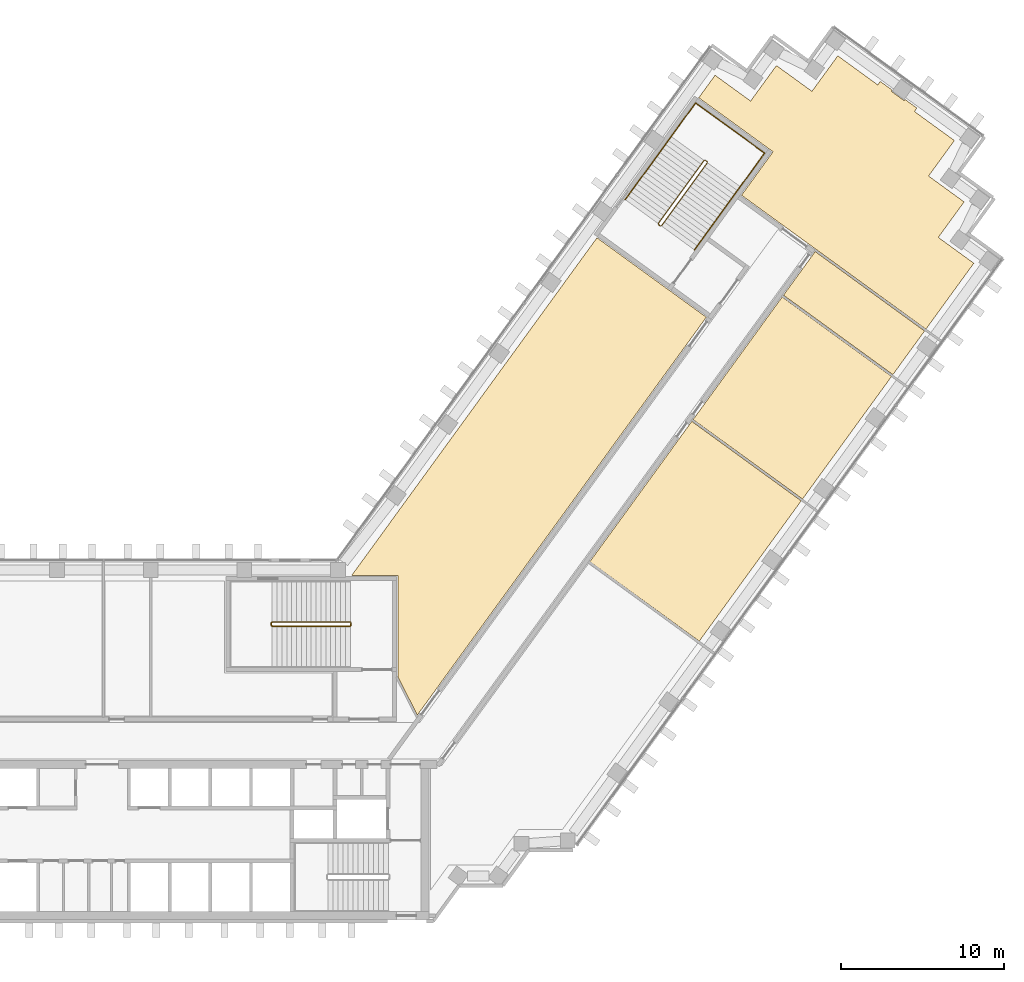
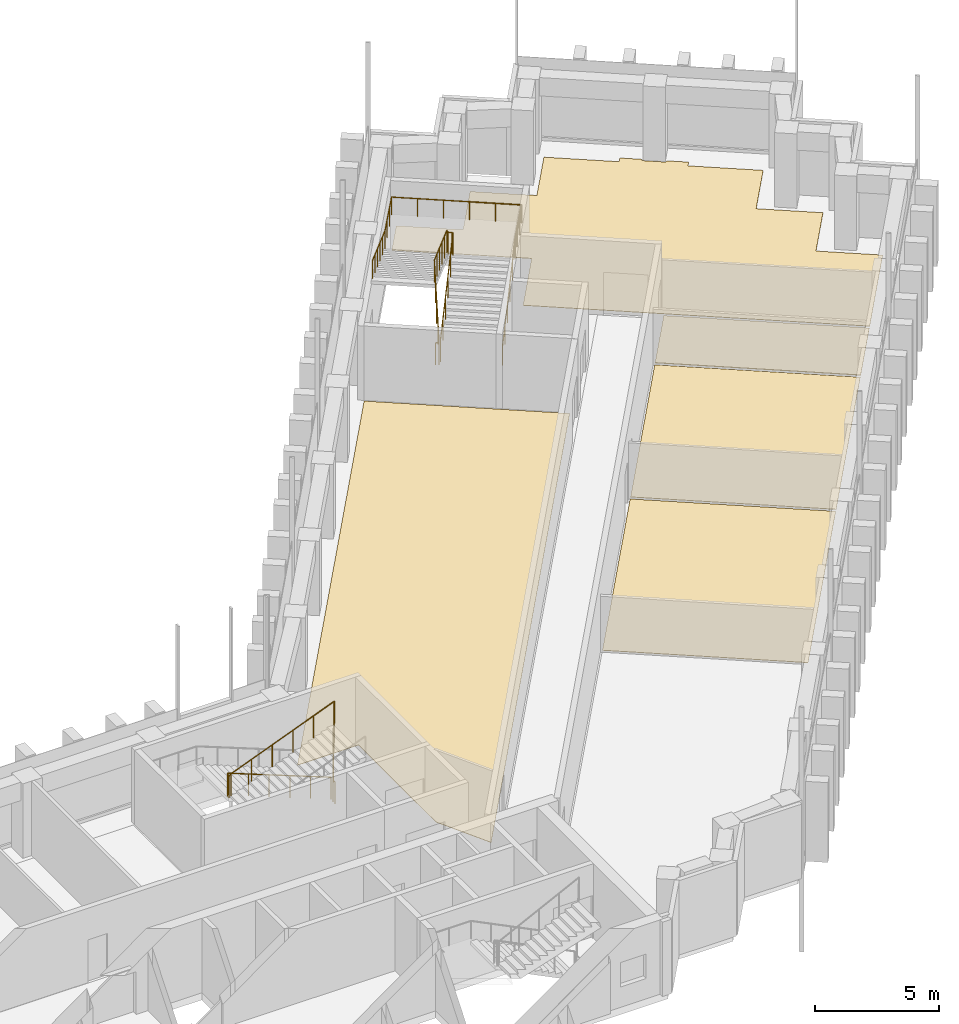
# One storey, part 18 of 18: 5 coverings, 3 railings.
"""IFC4 building model written with IfcOpenShell, lengths in metres."""

from ifc_helpers import new_model, si_unit, direction, frame, origin, origin_2d, place, context, subcontext, project, spatial, polyline, circle, outline, extrude, material, layer, layer_set, type_object, element, save


model = new_model("IFC4")

# Units and contexts
model_context = context("Model", 3, precision=1e-05, world=origin(), true_north=direction((0.0, 1.0)))
body_context = subcontext(model_context, "Body", "Model", "MODEL_VIEW")
ifc_project = project(units=[si_unit("LENGTHUNIT", "METRE"), si_unit("AREAUNIT", "SQUARE_METRE"), si_unit("VOLUMEUNIT", "CUBIC_METRE"), si_unit("PLANEANGLEUNIT", "RADIAN"), si_unit("MASSUNIT", "GRAM", prefix="KILO")], contexts=[model_context])

# Site, building, storey
site_placement = place(None, origin())
site = spatial("IfcSite", under=ifc_project, at=site_placement, CompositionType="ELEMENT")
building_placement = place(site_placement, origin())
building = spatial("IfcBuilding", under=site, at=building_placement, Name="Quipu Civic Tower", CompositionType="ELEMENT")
storey_placement = place(building_placement, frame((0.0, 0.0, 59.0)))
storey = spatial("IfcBuildingStorey", under=building, at=storey_placement, Name="L13", CompositionType="ELEMENT", Elevation=59.0)

# Coverings
ifc_material_1 = material(Name="Carpet tile on raised access floor")
ifc_layer_1 = layer(ifc_material_1, 0.02001953125)
ifc_layer_set_1 = layer_set([ifc_layer_1], Name="Carpet tile on raised access floor")
covering_type_1 = type_object("IfcCoveringType", Name="Carpet tile floor finish 20", PredefinedType="FLOORING", material=ifc_layer_set_1)
covering_1_placement = place(storey_placement, origin())
element("IfcCovering", 1, at=covering_1_placement, inside=storey, type_object=covering_type_1, Name="Carpet tile floor finish 20", PredefinedType="FLOORING", context=body_context, shape_type="SweptSolid", body=[
    extrude(outline(polyline([(15.238037109375, 10.169921875), (30.31494140625, 30.922119140625), (37.0380859375, 26.0380859375), (19.27197265625, 1.583984375), (18.070068359375, 3.94189453125), (18.070068359375, 10.1689453125), (15.238037109375, 10.169921875)])), origin(), (0.0, 0.0, 1.0), 0.02001953125),
])
covering_2_placement = place(storey_placement, origin())
element("IfcCovering", 2, at=covering_2_placement, inside=storey, type_object=covering_type_1, Name="Carpet tile floor finish 20", PredefinedType="FLOORING", context=body_context, shape_type="SweptSolid", body=[
    extrude(outline(polyline([(36.570068359375, 39.530029296875), (37.574951171875, 40.9130859375), (39.760009765625, 39.326904296875), (41.345947265625, 41.510986328125), (43.530029296875, 39.925048828125), (45.116943359375, 42.10791015625), (47.574951171875, 40.322021484375), (47.72900390625, 40.531982421875), (48.449951171875, 40.008056640625), (48.427001953125, 39.97705078125), (48.424072265625, 39.972900390625), (48.422119140625, 39.968017578125), (48.419921875, 39.964111328125), (48.4189453125, 39.958984375), (48.41796875, 39.9541015625), (48.4169921875, 39.948974609375), (48.4169921875, 39.944091796875), (48.41796875, 39.93994140625), (48.4189453125, 39.93505859375), (48.419921875, 39.929931640625), (48.422119140625, 39.926025390625), (48.425048828125, 39.9208984375), (48.427001953125, 39.9169921875), (48.430908203125, 39.9130859375), (48.43408203125, 39.909912109375), (48.43798828125, 39.906982421875), (49.166015625, 39.3779296875), (49.169921875, 39.375), (49.174072265625, 39.373046875), (49.178955078125, 39.37109375), (49.18408203125, 39.3701171875), (49.18896484375, 39.368896484375), (49.193115234375, 39.367919921875), (49.197998046875, 39.367919921875), (49.202880859375, 39.368896484375), (49.2080078125, 39.3701171875), (49.212890625, 39.37109375), (49.217041015625, 39.373046875), (49.220947265625, 39.3759765625), (49.22607421875, 39.3779296875), (49.22900390625, 39.382080078125), (49.23291015625, 39.385009765625), (49.236083984375, 39.388916015625), (49.259033203125, 39.4208984375), (49.97900390625, 38.89697265625), (49.826904296875, 38.68603515625), (52.284912109375, 36.90087890625), (50.698974609375, 34.717041015625), (52.883056640625, 33.12890625), (51.297119140625, 30.945068359375), (53.47998046875, 29.35791015625), (50.535888671875, 25.304931640625), (39.200927734375, 33.5390625), (41.139892578125, 36.208984375), (36.570068359375, 39.530029296875)])), origin(), (0.0, 0.0, 1.0), 0.02001953125),
])
covering_3_placement = place(storey_placement, origin())
element("IfcCovering", 3, at=covering_3_placement, inside=storey, type_object=covering_type_1, Name="Carpet tile floor finish 20", PredefinedType="FLOORING", context=body_context, shape_type="SweptSolid", body=[
    extrude(outline(polyline([(36.22705078125, 19.748046875), (41.698974609375, 27.281005859375), (48.422119140625, 22.39697265625), (42.950927734375, 14.864990234375), (36.22705078125, 19.748046875)])), origin(), (0.0, 0.0, 1.0), 0.02001953125),
])
covering_4_placement = place(storey_placement, origin())
element("IfcCovering", 4, at=covering_4_placement, inside=storey, type_object=covering_type_1, Name="Carpet tile floor finish 20", PredefinedType="FLOORING", context=body_context, shape_type="SweptSolid", body=[
    extrude(outline(polyline([(29.87890625, 11.010986328125), (36.14404296875, 19.635009765625), (42.867919921875, 14.751953125), (36.60302734375, 6.126953125), (29.87890625, 11.010986328125)])), origin(), (0.0, 0.0, 1.0), 0.02001953125),
])
ifc_material_2 = material(Name="Ceramic floor tile")
ifc_layer_2 = layer(ifc_material_2, 0.030029296875)
ifc_layer_set_2 = layer_set([ifc_layer_2], Name="Ceramic floor tile")
covering_type_2 = type_object("IfcCoveringType", Name="Ceramic tile floor finish 30", PredefinedType="FLOORING", material=ifc_layer_set_2)
covering_5_placement = place(storey_placement, origin())
element("IfcCovering", 5, at=covering_5_placement, inside=storey, type_object=covering_type_2, Name="Ceramic tile floor finish 30", PredefinedType="FLOORING", context=body_context, shape_type="SweptSolid", body=[
    extrude(outline(polyline([(41.781982421875, 27.39404296875), (43.72998046875, 30.075927734375), (50.452880859375, 25.19189453125), (48.5048828125, 22.510009765625), (41.781982421875, 27.39404296875)])), origin(), (0.0, 0.0, 1.0), 0.030029296875),
])

# Railings
ifc_material_3 = material(Name="Stainless steel", Category="steel")
railing_type_1 = type_object("IfcRailingType", Name="Stair guard 1100", PredefinedType="GUARDRAIL", material=ifc_material_3)
railing_1_placement = place(storey_placement, frame((15.14990234375, 7.300048828125, 0.11767578125)))
element("IfcRailing", 6, at=railing_1_placement, inside=storey, type_object=railing_type_1, Name="Stair 4 guard", PredefinedType="GUARDRAIL", context=body_context, shape_type="SweptSolid", body=[
    extrude(circle(Radius=0.02392578125, at=origin_2d()), frame((0.0, 0.0, 1.076171875), z_axis=(-0.930970042603, 0.0, 0.365095576219), x_axis=(0.0, -1.0, 0.0)), (0.0, 0.0, 1.0), 5.15576171875),
    extrude(circle(Radius=0.02392578125, at=origin_2d()), frame((-4.7998046875, 0.0, 2.95849609375), z_axis=(-0.707106781187, -0.707106781187, 0.0), x_axis=(0.707106781187, -0.707106781187, 0.0)), (0.0, 0.0, 1.0), 0.07080078125),
    extrude(circle(Radius=0.02392578125, at=origin_2d()), frame((-4.849853515625, -0.050048828125, 2.95849609375), z_axis=(0.0, -1.0, 0.0), x_axis=(1.0, 0.0, 0.0)), (0.0, 0.0, 1.0), 0.14990234375),
    extrude(circle(Radius=0.02392578125, at=origin_2d()), frame((-4.849853515625, -0.199951171875, 2.95849609375), z_axis=(0.364463019033, -0.364463019033, 0.856932561824), x_axis=(0.707106781187, 0.707106781187, 0.0)), (0.0, 0.0, 1.0), 0.13720703125),
    extrude(circle(Radius=0.02392578125, at=origin_2d()), frame((-4.7998046875, -0.25, 3.076171875), z_axis=(0.930970042603, 0.0, 0.365095576219), x_axis=(0.0, 1.0, 0.0)), (0.0, 0.0, 1.0), 5.15576171875),
    extrude(circle(Radius=0.02392578125, at=origin_2d()), frame((0.0, -0.25, 4.95849609375), z_axis=(0.012495627992, 0.049921557685, -0.998674970829), x_axis=(-0.970072785993, 0.242814311512, 0.0)), (0.0, 0.0, 1.0), 4.00537109375),
    extrude(circle(Radius=0.02392578125, at=origin_2d()), frame((0.050048828125, -0.050048828125, 0.95849609375), z_axis=(0.0, -1.0, 0.0), x_axis=(1.0, 0.0, 0.0)), (0.0, 0.0, 1.0), 0.14990234375),
    extrude(circle(Radius=0.02099609375, at=origin_2d()), origin(), (0.0, 0.0, 1.0), 1.052001953125),
    extrude(circle(Radius=0.02099609375, at=origin_2d()), frame((-0.9599609375, 0.0, 0.37646484375)), (0.0, 0.0, 1.0), 1.052001953125),
    extrude(circle(Radius=0.02099609375, at=origin_2d()), frame((-1.919921875, 0.0, 0.7529296875)), (0.0, 0.0, 1.0), 1.052001953125),
    extrude(circle(Radius=0.02099609375, at=origin_2d()), frame((-2.8798828125, 0.0, 1.12939453125)), (0.0, 0.0, 1.0), 1.052001953125),
    extrude(circle(Radius=0.02099609375, at=origin_2d()), frame((-3.83984375, 0.0, 1.505859375)), (0.0, 0.0, 1.0), 1.052001953125),
    extrude(circle(Radius=0.02099609375, at=origin_2d()), frame((-4.7998046875, 0.0, 1.88232421875)), (0.0, 0.0, 1.0), 1.052001953125),
    extrude(circle(Radius=0.02099609375, at=origin_2d()), frame((-4.849853515625, -0.050048828125, 1.88232421875)), (0.0, 0.0, 1.0), 1.052001953125),
    extrude(circle(Radius=0.02099609375, at=origin_2d()), frame((-4.849853515625, -0.199951171875, 1.88232421875)), (0.0, 0.0, 1.0), 1.052001953125),
    extrude(circle(Radius=0.02099609375, at=origin_2d()), frame((-4.7998046875, -0.25, 2.0)), (0.0, 0.0, 1.0), 1.052001953125),
    extrude(circle(Radius=0.02099609375, at=origin_2d()), frame((-3.83984375, -0.25, 2.37646484375)), (0.0, 0.0, 1.0), 1.052001953125),
    extrude(circle(Radius=0.02099609375, at=origin_2d()), frame((-2.8798828125, -0.25, 2.7529296875)), (0.0, 0.0, 1.0), 1.052001953125),
    extrude(circle(Radius=0.02099609375, at=origin_2d()), frame((-1.919921875, -0.25, 3.12939453125)), (0.0, 0.0, 1.0), 1.052001953125),
    extrude(circle(Radius=0.02099609375, at=origin_2d()), frame((-0.9599609375, -0.25, 3.505859375)), (0.0, 0.0, 1.0), 1.052001953125),
    extrude(circle(Radius=0.02099609375, at=origin_2d()), frame((0.0, -0.25, 3.88232421875)), (0.0, 0.0, 1.0), 1.052001953125),
    extrude(circle(Radius=0.02099609375, at=origin_2d()), frame((0.012451171875, -0.199951171875, 2.88232421875)), (0.0, 0.0, 1.0), 1.052001953125),
    extrude(circle(Radius=0.02099609375, at=origin_2d()), frame((0.02490234375, -0.14990234375, 1.88232421875)), (0.0, 0.0, 1.0), 1.052001953125),
    extrude(circle(Radius=0.02099609375, at=origin_2d()), frame((0.03759765625, -0.10009765625, 0.88232421875)), (0.0, 0.0, 1.0), 1.052001953125),
    extrude(circle(Radius=0.02099609375, at=origin_2d()), frame((0.050048828125, -0.050048828125, -0.11767578125)), (0.0, 0.0, 1.0), 1.052001953125),
    extrude(circle(Radius=0.02099609375, at=origin_2d()), frame((0.050048828125, -0.199951171875, -0.11767578125)), (0.0, 0.0, 1.0), 1.052001953125),
])
railing_2_placement = place(storey_placement, frame((34.28125, 31.650390625, 0.11767578125)))
element("IfcRailing", 7, at=railing_2_placement, inside=storey, type_object=railing_type_1, Name="Stair 7 guard", PredefinedType="GUARDRAIL", context=body_context, shape_type="SweptSolid", body=[
    extrude(circle(Radius=0.02392578125, at=origin_2d()), frame((0.0, 0.0, 1.076171875), z_axis=(0.54720100349, 0.753182689643, 0.365084781664), x_axis=(-0.809026317077, 0.587772420479, 0.0)), (0.0, 0.0, 1.0), 5.15576171875),
    extrude(circle(Radius=0.02392578125, at=origin_2d()), frame((2.8212890625, 3.88330078125, 2.95849609375), z_axis=(-0.155430446612, 0.987846838465, 0.0), x_axis=(-0.987846838465, -0.155430446612, 0.0)), (0.0, 0.0, 1.0), 0.07080078125),
    extrude(circle(Radius=0.02392578125, at=origin_2d()), frame((2.810302734375, 3.953125, 2.95849609375), z_axis=(-0.809649071907, 0.586914287065, 0.0), x_axis=(-0.586914287065, -0.809649071907, 0.0)), (0.0, 0.0, 1.0), 0.150146484375),
    extrude(circle(Radius=0.02392578125, at=origin_2d()), frame((2.688720703125, 4.041259765625, 2.95849609375), z_axis=(-0.508654480474, -0.080033047627, 0.857242865693), x_axis=(0.155430446612, -0.987846838465, 0.0)), (0.0, 0.0, 1.0), 0.13720703125),
    extrude(circle(Radius=0.02392578125, at=origin_2d()), frame((2.618896484375, 4.0302734375, 3.076171875), z_axis=(-0.54720100349, -0.753182689643, 0.365084781664), x_axis=(0.809026317077, -0.587772420479, 0.0)), (0.0, 0.0, 1.0), 5.15576171875),
    extrude(circle(Radius=0.02392578125, at=origin_2d()), frame((-0.202392578125, 0.14697265625, 4.95849609375), z_axis=(0.033037246672, -0.039437451286, -0.998675737048), x_axis=(0.766567769536, 0.642163417448, 0.0)), (0.0, 0.0, 1.0), 4.00537109375),
    extrude(circle(Radius=0.02392578125, at=origin_2d()), frame((-0.070068359375, -0.010986328125, 0.95849609375), z_axis=(-0.809087927272, 0.587687609145, 0.0), x_axis=(-0.587687609145, -0.809087927272, 0.0)), (0.0, 0.0, 1.0), 0.14990234375),
    extrude(circle(Radius=0.02099609375, at=origin_2d()), origin(), (0.0, 0.0, 1.0), 1.052001953125),
    extrude(circle(Radius=0.02099609375, at=origin_2d()), frame((0.564208984375, 0.776611328125, 0.37646484375)), (0.0, 0.0, 1.0), 1.052001953125),
    extrude(circle(Radius=0.02099609375, at=origin_2d()), frame((1.12841796875, 1.55322265625, 0.7529296875)), (0.0, 0.0, 1.0), 1.052001953125),
    extrude(circle(Radius=0.02099609375, at=origin_2d()), frame((1.69287109375, 2.330078125, 1.12939453125)), (0.0, 0.0, 1.0), 1.052001953125),
    extrude(circle(Radius=0.02099609375, at=origin_2d()), frame((2.257080078125, 3.106689453125, 1.505859375)), (0.0, 0.0, 1.0), 1.052001953125),
    extrude(circle(Radius=0.02099609375, at=origin_2d()), frame((2.8212890625, 3.88330078125, 1.88232421875)), (0.0, 0.0, 1.0), 1.052001953125),
    extrude(circle(Radius=0.02099609375, at=origin_2d()), frame((2.810302734375, 3.953125, 1.88232421875)), (0.0, 0.0, 1.0), 1.052001953125),
    extrude(circle(Radius=0.02099609375, at=origin_2d()), frame((2.688720703125, 4.041259765625, 1.88232421875)), (0.0, 0.0, 1.0), 1.052001953125),
    extrude(circle(Radius=0.02099609375, at=origin_2d()), frame((2.618896484375, 4.0302734375, 2.0)), (0.0, 0.0, 1.0), 1.052001953125),
    extrude(circle(Radius=0.02099609375, at=origin_2d()), frame((2.0546875, 3.253662109375, 2.37646484375)), (0.0, 0.0, 1.0), 1.052001953125),
    extrude(circle(Radius=0.02099609375, at=origin_2d()), frame((1.490478515625, 2.47705078125, 2.7529296875)), (0.0, 0.0, 1.0), 1.052001953125),
    extrude(circle(Radius=0.02099609375, at=origin_2d()), frame((0.926025390625, 1.7001953125, 3.12939453125)), (0.0, 0.0, 1.0), 1.052001953125),
    extrude(circle(Radius=0.02099609375, at=origin_2d()), frame((0.36181640625, 0.923583984375, 3.505859375)), (0.0, 0.0, 1.0), 1.052001953125),
    extrude(circle(Radius=0.02099609375, at=origin_2d()), frame((-0.202392578125, 0.14697265625, 3.88232421875)), (0.0, 0.0, 1.0), 1.052001953125),
    extrude(circle(Radius=0.02099609375, at=origin_2d()), frame((-0.16943359375, 0.107421875, 2.88232421875)), (0.0, 0.0, 1.0), 1.052001953125),
    extrude(circle(Radius=0.02099609375, at=origin_2d()), frame((-0.13623046875, 0.06787109375, 1.88232421875)), (0.0, 0.0, 1.0), 1.052001953125),
    extrude(circle(Radius=0.02099609375, at=origin_2d()), frame((-0.10302734375, 0.028564453125, 0.88232421875)), (0.0, 0.0, 1.0), 1.052001953125),
    extrude(circle(Radius=0.02099609375, at=origin_2d()), frame((-0.070068359375, -0.010986328125, -0.11767578125)), (0.0, 0.0, 1.0), 1.052001953125),
    extrude(circle(Radius=0.02099609375, at=origin_2d()), frame((-0.19140625, 0.0771484375, -0.11767578125)), (0.0, 0.0, 1.0), 1.052001953125),
])
ifc_material_4 = material(Name="Stainless steel", Category="steel")
railing_type_2 = type_object("IfcRailingType", Name="Stair handrail", PredefinedType="HANDRAIL", material=ifc_material_4)
railing_3_placement = place(storey_placement, frame((36.3037109375, 30.180908203125, 0.11767578125)))
element("IfcRailing", 8, at=railing_3_placement, inside=storey, type_object=railing_type_2, Name="Stair 7 handrail", PredefinedType="HANDRAIL", context=body_context, shape_type="SweptSolid", body=[
    extrude(circle(Radius=0.02392578125, at=origin_2d()), frame((0.0, 0.0, 0.8759765625), z_axis=(0.54720100349, 0.753182689643, 0.365084781664), x_axis=(-0.809026317077, 0.587772420479, 0.0)), (0.0, 0.0, 1.0), 5.15576171875),
    extrude(circle(Radius=0.02392578125, at=origin_2d()), frame((2.8212890625, 3.88330078125, 2.75830078125), z_axis=(0.587767432704, 0.809029940764, 0.0), x_axis=(-0.809029940764, 0.587767432704, 0.0)), (0.0, 0.0, 1.0), 2.550048828125),
    extrude(circle(Radius=0.02392578125, at=origin_2d()), frame((4.320068359375, 5.9462890625, 2.75830078125), z_axis=(-0.809009483706, 0.587795589702, 0.0), x_axis=(-0.587795589702, -0.809009483706, 0.0)), (0.0, 0.0, 1.0), 5.25),
    extrude(circle(Radius=0.02392578125, at=origin_2d()), frame((0.07275390625, 9.0322265625, 2.75830078125), z_axis=(-0.587142558822, -0.808169835812, 0.046099155132), x_axis=(0.809029940764, -0.587767432704, 0.0)), (0.0, 0.0, 1.0), 2.552734375),
    extrude(circle(Radius=0.02392578125, at=origin_2d()), frame((-1.426025390625, 6.96923828125, 2.8759765625), z_axis=(-0.54720100349, -0.753182689643, 0.365084781664), x_axis=(0.809026317077, -0.587772420479, 0.0)), (0.0, 0.0, 1.0), 5.15576171875),
    extrude(circle(Radius=0.02099609375, at=origin_2d()), origin(), (0.0, 0.0, 1.0), 0.851806640625),
    extrude(circle(Radius=0.02099609375, at=origin_2d()), frame((0.564208984375, 0.776611328125, 0.37646484375)), (0.0, 0.0, 1.0), 0.851806640625),
    extrude(circle(Radius=0.02099609375, at=origin_2d()), frame((1.12841796875, 1.55322265625, 0.7529296875)), (0.0, 0.0, 1.0), 0.851806640625),
    extrude(circle(Radius=0.02099609375, at=origin_2d()), frame((1.69287109375, 2.330078125, 1.12939453125)), (0.0, 0.0, 1.0), 0.851806640625),
    extrude(circle(Radius=0.02099609375, at=origin_2d()), frame((2.257080078125, 3.106689453125, 1.505859375)), (0.0, 0.0, 1.0), 0.851806640625),
    extrude(circle(Radius=0.02099609375, at=origin_2d()), frame((2.8212890625, 3.88330078125, 1.88232421875)), (0.0, 0.0, 1.0), 0.851806640625),
    extrude(circle(Radius=0.02099609375, at=origin_2d()), frame((3.32080078125, 4.571044921875, 1.88232421875)), (0.0, 0.0, 1.0), 0.851806640625),
    extrude(circle(Radius=0.02099609375, at=origin_2d()), frame((3.820556640625, 5.258544921875, 1.88232421875)), (0.0, 0.0, 1.0), 0.851806640625),
    extrude(circle(Radius=0.02099609375, at=origin_2d()), frame((4.320068359375, 5.9462890625, 1.88232421875)), (0.0, 0.0, 1.0), 0.851806640625),
    extrude(circle(Radius=0.02099609375, at=origin_2d()), frame((3.470703125, 6.5634765625, 1.88232421875)), (0.0, 0.0, 1.0), 0.851806640625),
    extrude(circle(Radius=0.02099609375, at=origin_2d()), frame((2.62109375, 7.1806640625, 1.88232421875)), (0.0, 0.0, 1.0), 0.851806640625),
    extrude(circle(Radius=0.02099609375, at=origin_2d()), frame((1.771728515625, 7.7978515625, 1.88232421875)), (0.0, 0.0, 1.0), 0.851806640625),
    extrude(circle(Radius=0.02099609375, at=origin_2d()), frame((0.922119140625, 8.4150390625, 1.88232421875)), (0.0, 0.0, 1.0), 0.851806640625),
    extrude(circle(Radius=0.02099609375, at=origin_2d()), frame((0.07275390625, 9.0322265625, 1.88232421875)), (0.0, 0.0, 1.0), 0.851806640625),
    extrude(circle(Radius=0.02099609375, at=origin_2d()), frame((-0.4267578125, 8.344482421875, 1.921630859375)), (0.0, 0.0, 1.0), 0.851806640625),
    extrude(circle(Radius=0.02099609375, at=origin_2d()), frame((-0.926513671875, 7.656982421875, 1.960693359375)), (0.0, 0.0, 1.0), 0.851806640625),
    extrude(circle(Radius=0.02099609375, at=origin_2d()), frame((-1.426025390625, 6.96923828125, 2.0)), (0.0, 0.0, 1.0), 0.851806640625),
    extrude(circle(Radius=0.02099609375, at=origin_2d()), frame((-1.990234375, 6.192626953125, 2.37646484375)), (0.0, 0.0, 1.0), 0.851806640625),
    extrude(circle(Radius=0.02099609375, at=origin_2d()), frame((-2.554443359375, 5.416015625, 2.7529296875)), (0.0, 0.0, 1.0), 0.851806640625),
    extrude(circle(Radius=0.02099609375, at=origin_2d()), frame((-3.118896484375, 4.63916015625, 3.12939453125)), (0.0, 0.0, 1.0), 0.851806640625),
    extrude(circle(Radius=0.02099609375, at=origin_2d()), frame((-3.68310546875, 3.862548828125, 3.505859375)), (0.0, 0.0, 1.0), 0.851806640625),
    extrude(circle(Radius=0.02099609375, at=origin_2d()), frame((-4.247314453125, 3.0859375, 3.88232421875)), (0.0, 0.0, 1.0), 0.851806640625),
])

save(model, "model.ifc")
